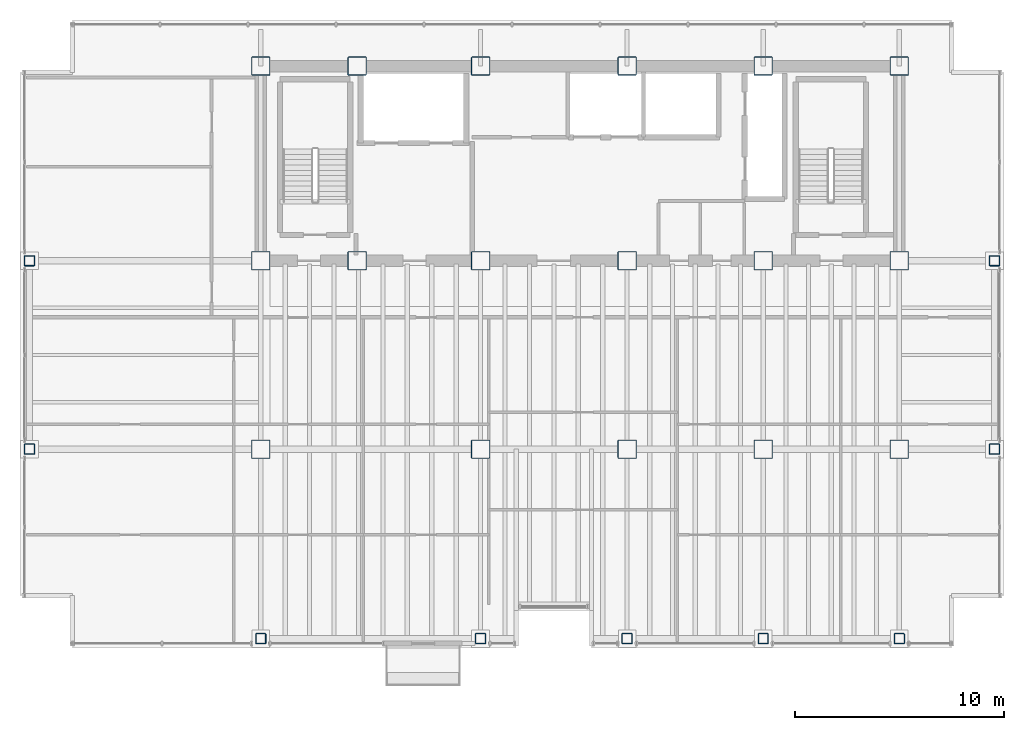
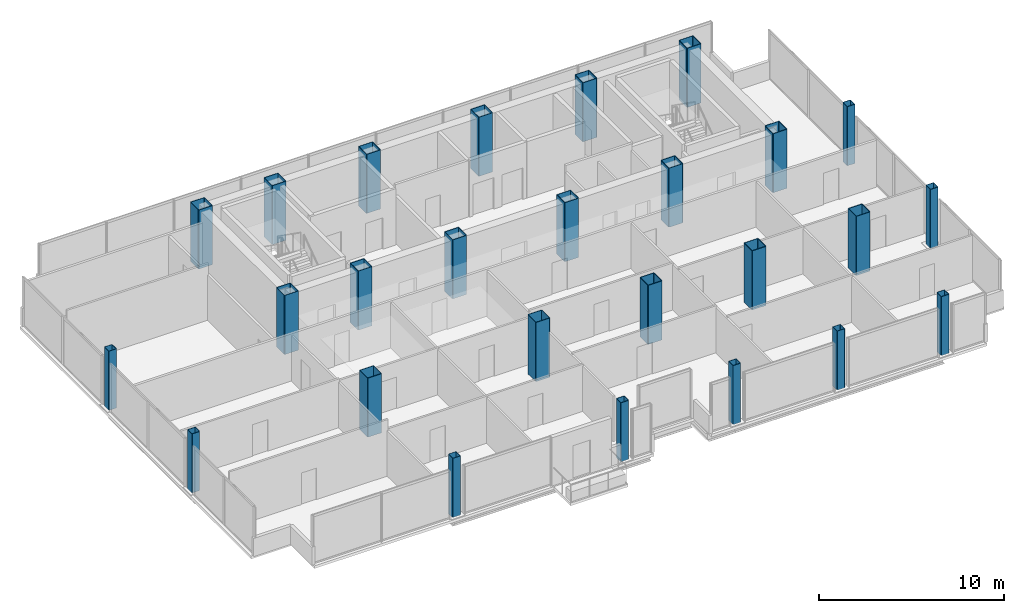
# One storey, part 1 of 22: 26 columns.
"""IFC4 building model written with IfcOpenShell, lengths in metres."""

from ifc_helpers import new_model, si_unit, direction, frame, origin, origin_2d, place, context, subcontext, project, spatial, hollow_rectangle, extrude, material, material_profile, profile_set, type_object, element, save


model = new_model("IFC4")

# Units and contexts
model_context = context("Model", 3, precision=1e-05, world=origin(), true_north=direction((0.0, 1.0)))
body_context = subcontext(model_context, "Body", "Model", "MODEL_VIEW")
ifc_project = project(units=[si_unit("LENGTHUNIT", "METRE"), si_unit("AREAUNIT", "SQUARE_METRE"), si_unit("VOLUMEUNIT", "CUBIC_METRE"), si_unit("PLANEANGLEUNIT", "RADIAN"), si_unit("MASSUNIT", "GRAM", prefix="KILO")], contexts=[model_context])

# Site, building, storey
site_placement = place(None, origin())
site = spatial("IfcSite", under=ifc_project, at=site_placement, CompositionType="ELEMENT")
building_placement = place(site_placement, origin())
building = spatial("IfcBuilding", under=site, at=building_placement, Name="Noeulbin Bourse Tower", CompositionType="ELEMENT")
storey_placement = place(building_placement, frame((0.0, 0.0, 130.5)))
storey = spatial("IfcBuildingStorey", under=building, at=storey_placement, Name="L32", CompositionType="ELEMENT", Elevation=130.5)

# Columns
ifc_material_1 = material(Name="Steel S355", Category="steel")
ifc_material_profile_1 = material_profile(ifc_material_1, hollow_rectangle(XDim=0.5, YDim=0.5, WallThickness=0.02392578125, InnerFilletRadius=0.011962890625, OuterFilletRadius=0.035888671875, at=origin_2d()), Name="BOX-500x500x24", Category="LoadBearing")
ifc_profile_set_1 = profile_set([ifc_material_profile_1], Name="Steel S355")
column_type_1 = type_object("IfcColumnType", Name="COL-PER-Z2", PredefinedType="COLUMN", material=ifc_profile_set_1)
for number, where, z_axis, x_axis, name in (
    (1, (2.449951171875, 20.0, 0.0), (0.0, 0.0, 1.0), (1.0, 0.0, 0.0), "Tower Perimeter Column COL-PER-Z2 01"),
    (2, (2.449951171875, 29.0, 0.0), (0.0, 0.0, 1.0), (1.0, 0.0, 0.0), "Tower Perimeter Column COL-PER-Z2 02"),
    (3, (13.5, 10.949951171875, 0.0), (0.0, 0.0, 1.0), (1.0, 0.0, 0.0), "Tower Perimeter Column COL-PER-Z2 03"),
    (4, (24.0, 10.949951171875, 0.0), (0.0, 0.0, 1.0), (1.0, 0.0, 0.0), "Tower Perimeter Column COL-PER-Z2 04"),
    (5, (31.0, 10.949951171875, 0.0), (0.0, 0.0, 1.0), (1.0, 0.0, 0.0), "Tower Perimeter Column COL-PER-Z2 05"),
    (6, (37.5, 10.949951171875, 0.0), (0.0, 0.0, 1.0), (1.0, 0.0, 0.0), "Tower Perimeter Column COL-PER-Z2 06"),
    (7, (44.0, 10.949951171875, 0.0), (0.0, 0.0, 1.0), (1.0, 0.0, 0.0), "Tower Perimeter Column COL-PER-Z2 07"),
    (8, (48.550048828125, 20.0, 0.0), (0.0, 0.0, 1.0), (1.0, 0.0, 0.0), "Tower Perimeter Column COL-PER-Z2 08"),
    (9, (48.550048828125, 29.0, 0.0), (0.0, 0.0, 1.0), (1.0, 0.0, 0.0), "Tower Perimeter Column COL-PER-Z2 09"),
):
    element("IfcColumn", number, at=place(storey_placement, frame(where, z_axis=z_axis, x_axis=x_axis)), inside=storey, type_object=column_type_1, Name=name, PredefinedType="COLUMN", context=body_context, shape_type="SweptSolid", body=[
        extrude(hollow_rectangle(XDim=0.5, YDim=0.5, WallThickness=0.02392578125, InnerFilletRadius=0.011962890625, OuterFilletRadius=0.035888671875, at=origin_2d()), origin(), (0.0, 0.0, 1.0), 3.89990234375),
    ])
ifc_material_2 = material(Name="Steel S460", Category="steel")
ifc_material_profile_2 = material_profile(ifc_material_2, hollow_rectangle(XDim=0.89990234375, YDim=0.89990234375, WallThickness=0.034912109375, InnerFilletRadius=0.01708984375, OuterFilletRadius=0.052001953125, at=origin_2d()), Name="BOX-900x900x35", Category="LoadBearing")
ifc_profile_set_2 = profile_set([ifc_material_profile_2], Name="Steel S460")
column_type_2 = type_object("IfcColumnType", Name="COL-TRK-Z2", PredefinedType="COLUMN", material=ifc_profile_set_2)
for number, where, z_axis, x_axis, name in (
    (10, (13.5, 29.0, 0.0), (0.0, 0.0, 1.0), (1.0, 0.0, 0.0), "Tower Trunk Mega-Column COL-TRK-Z2 01"),
    (11, (13.5, 38.300048828125, 0.0), (0.0, 0.0, 1.0), (1.0, 0.0, 0.0), "Tower Trunk Mega-Column COL-TRK-Z2 02"),
    (12, (18.10009765625, 29.0, 0.0), (0.0, 0.0, 1.0), (1.0, 0.0, 0.0), "Tower Trunk Mega-Column COL-TRK-Z2 03"),
    (13, (18.10009765625, 38.300048828125, 0.0), (0.0, 0.0, 1.0), (1.0, 0.0, 0.0), "Tower Trunk Mega-Column COL-TRK-Z2 04"),
    (14, (24.0, 29.0, 0.0), (0.0, 0.0, 1.0), (1.0, 0.0, 0.0), "Tower Trunk Mega-Column COL-TRK-Z2 05"),
    (15, (24.0, 38.300048828125, 0.0), (0.0, 0.0, 1.0), (1.0, 0.0, 0.0), "Tower Trunk Mega-Column COL-TRK-Z2 06"),
    (16, (31.0, 29.0, 0.0), (0.0, 0.0, 1.0), (1.0, 0.0, 0.0), "Tower Trunk Mega-Column COL-TRK-Z2 07"),
    (17, (31.0, 38.300048828125, 0.0), (0.0, 0.0, 1.0), (1.0, 0.0, 0.0), "Tower Trunk Mega-Column COL-TRK-Z2 08"),
    (18, (37.5, 29.0, 0.0), (0.0, 0.0, 1.0), (1.0, 0.0, 0.0), "Tower Trunk Mega-Column COL-TRK-Z2 09"),
    (19, (37.5, 38.300048828125, 0.0), (0.0, 0.0, 1.0), (1.0, 0.0, 0.0), "Tower Trunk Mega-Column COL-TRK-Z2 10"),
    (20, (44.0, 29.0, 0.0), (0.0, 0.0, 1.0), (1.0, 0.0, 0.0), "Tower Trunk Mega-Column COL-TRK-Z2 11"),
    (21, (44.0, 38.300048828125, 0.0), (0.0, 0.0, 1.0), (1.0, 0.0, 0.0), "Tower Trunk Mega-Column COL-TRK-Z2 12"),
    (22, (13.5, 20.0, 0.0), (0.0, 0.0, 1.0), (1.0, 0.0, 0.0), "Tower Trunk Mega-Column COL-TRK-Z2 13"),
    (23, (24.0, 20.0, 0.0), (0.0, 0.0, 1.0), (1.0, 0.0, 0.0), "Tower Trunk Mega-Column COL-TRK-Z2 14"),
    (24, (31.0, 20.0, 0.0), (0.0, 0.0, 1.0), (1.0, 0.0, 0.0), "Tower Trunk Mega-Column COL-TRK-Z2 15"),
    (25, (37.5, 20.0, 0.0), (0.0, 0.0, 1.0), (1.0, 0.0, 0.0), "Tower Trunk Mega-Column COL-TRK-Z2 16"),
    (26, (44.0, 20.0, 0.0), (0.0, 0.0, 1.0), (1.0, 0.0, 0.0), "Tower Trunk Mega-Column COL-TRK-Z2 17"),
):
    element("IfcColumn", number, at=place(storey_placement, frame(where, z_axis=z_axis, x_axis=x_axis)), inside=storey, type_object=column_type_2, Name=name, PredefinedType="COLUMN", context=body_context, shape_type="SweptSolid", body=[
        extrude(hollow_rectangle(XDim=0.89990234375, YDim=0.89990234375, WallThickness=0.034912109375, InnerFilletRadius=0.01708984375, OuterFilletRadius=0.052001953125, at=origin_2d()), origin(), (0.0, 0.0, 1.0), 3.89990234375),
    ])

save(model, "model.ifc")
